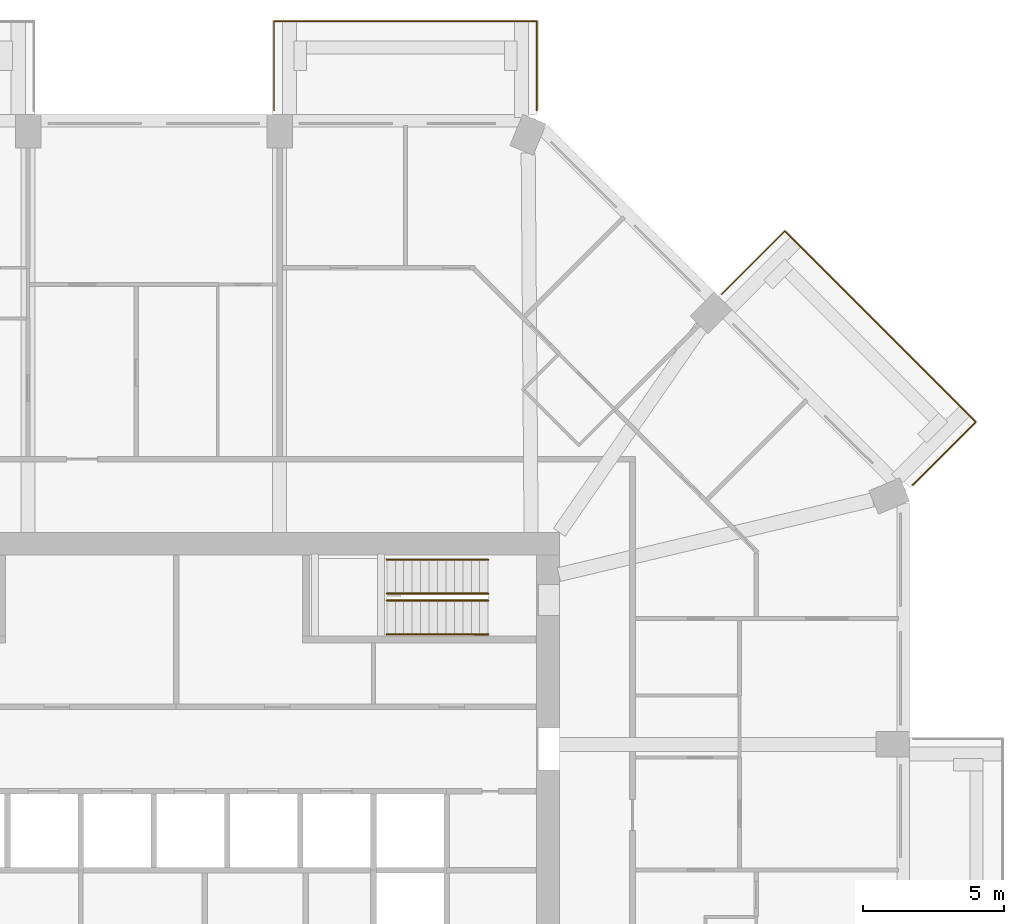
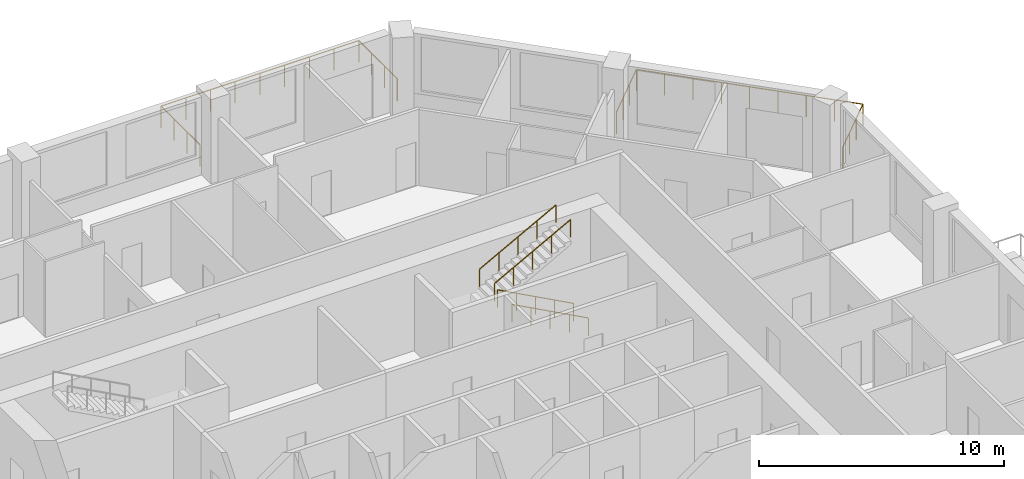
# One storey, part 13 of 13: 6 railings.
"""IFC4 building model written with IfcOpenShell, lengths in metres."""

from ifc_helpers import new_model, si_unit, direction, frame, origin, origin_2d, place, context, subcontext, project, spatial, circle, extrude, material, constituent, constituent_set, type_object, element, save


model = new_model("IFC4")

# Units and contexts
model_context = context("Model", 3, precision=1e-05, world=origin(), true_north=direction((0.0, 1.0)))
body_context = subcontext(model_context, "Body", "Model", "MODEL_VIEW")
ifc_project = project(units=[si_unit("LENGTHUNIT", "METRE"), si_unit("AREAUNIT", "SQUARE_METRE"), si_unit("VOLUMEUNIT", "CUBIC_METRE"), si_unit("PLANEANGLEUNIT", "RADIAN"), si_unit("MASSUNIT", "GRAM", prefix="KILO")], contexts=[model_context])

# Site, building, storey
site_placement = place(None, origin())
site = spatial("IfcSite", under=ifc_project, at=site_placement, CompositionType="ELEMENT")
building_placement = place(site_placement, origin())
building = spatial("IfcBuilding", under=site, at=building_placement, Name="Msitu Wima Residences", CompositionType="ELEMENT")
storey_placement = place(building_placement, frame((0.0, 0.0, 148.5)))
storey = spatial("IfcBuildingStorey", under=building, at=storey_placement, Name="L34", CompositionType="ELEMENT", Elevation=148.5)

# Railings
ifc_material_1 = material(Name="Steel S355", Category="steel")
ifc_constituent_1 = constituent(ifc_material_1, Name="Steel S355")
ifc_material_2 = material(Name="Weathering patina")
ifc_constituent_2 = constituent(ifc_material_2, Name="Weathering patina")
ifc_constituent_set_1 = constituent_set(constituents=[ifc_constituent_1, ifc_constituent_2], Name="Steel S355")
railing_type_1 = type_object("IfcRailingType", Name="Balcony guard GR1100", PredefinedType="GUARDRAIL", material=ifc_constituent_set_1)
railing_1_placement = place(storey_placement, frame((20.171630859375, 20.45458984375, 0.0)))
element("IfcRailing", 1, at=railing_1_placement, inside=storey, type_object=railing_type_1, Name="Balcony guard NE0 L34", PredefinedType="GUARDRAIL", context=body_context, shape_type="SweptSolid", body=[
    extrude(circle(Radius=0.02392578125, at=origin_2d()), frame((0.0, 0.0, 1.076171875), z_axis=(0.707106781187, 0.707106781187, 0.0), x_axis=(-0.707106781187, 0.707106781187, 0.0)), (0.0, 0.0, 1.0), 3.169921875),
    extrude(circle(Radius=0.02392578125, at=origin_2d()), frame((2.241455078125, 2.241455078125, 1.076171875), z_axis=(0.707106781187, -0.707106781187, 0.0), x_axis=(0.707106781187, 0.707106781187, 0.0)), (0.0, 0.0, 1.0), 9.58837890625),
    extrude(circle(Radius=0.02392578125, at=origin_2d()), frame((9.021484375, -4.53857421875, 1.076171875), z_axis=(-0.707106781187, -0.707106781187, 0.0), x_axis=(0.707106781187, -0.707106781187, 0.0)), (0.0, 0.0, 1.0), 3.136474609375),
    extrude(circle(Radius=0.02392578125, at=origin_2d()), frame((6.8037109375, -6.75634765625, 1.076171875), z_axis=(-0.92426142649, -0.38176015442, 0.0), x_axis=(0.38176015442, -0.92426142649, 0.0)), (0.0, 0.0, 1.0), 0.036376953125),
    extrude(circle(Radius=0.02099609375, at=origin_2d()), origin(), (0.0, 0.0, 1.0), 1.052001953125),
    extrude(circle(Radius=0.02099609375, at=origin_2d()), frame((0.7470703125, 0.7470703125, 0.0)), (0.0, 0.0, 1.0), 1.052001953125),
    extrude(circle(Radius=0.02099609375, at=origin_2d()), frame((1.494384765625, 1.494384765625, 0.0)), (0.0, 0.0, 1.0), 1.052001953125),
    extrude(circle(Radius=0.02099609375, at=origin_2d()), frame((2.241455078125, 2.241455078125, 0.0)), (0.0, 0.0, 1.0), 1.052001953125),
    extrude(circle(Radius=0.02099609375, at=origin_2d()), frame((3.0888671875, 1.39404296875, 0.0)), (0.0, 0.0, 1.0), 1.052001953125),
    extrude(circle(Radius=0.02099609375, at=origin_2d()), frame((3.9365234375, 0.54638671875, 0.0)), (0.0, 0.0, 1.0), 1.052001953125),
    extrude(circle(Radius=0.02099609375, at=origin_2d()), frame((4.783935546875, -0.301025390625, 0.0)), (0.0, 0.0, 1.0), 1.052001953125),
    extrude(circle(Radius=0.02099609375, at=origin_2d()), frame((5.63134765625, -1.1484375, 0.0)), (0.0, 0.0, 1.0), 1.052001953125),
    extrude(circle(Radius=0.02099609375, at=origin_2d()), frame((6.47900390625, -1.99609375, 0.0)), (0.0, 0.0, 1.0), 1.052001953125),
    extrude(circle(Radius=0.02099609375, at=origin_2d()), frame((7.326416015625, -2.843505859375, 0.0)), (0.0, 0.0, 1.0), 1.052001953125),
    extrude(circle(Radius=0.02099609375, at=origin_2d()), frame((8.174072265625, -3.691162109375, 0.0)), (0.0, 0.0, 1.0), 1.052001953125),
    extrude(circle(Radius=0.02099609375, at=origin_2d()), frame((9.021484375, -4.53857421875, 0.0)), (0.0, 0.0, 1.0), 1.052001953125),
    extrude(circle(Radius=0.02099609375, at=origin_2d()), frame((8.2822265625, -5.27783203125, 0.0)), (0.0, 0.0, 1.0), 1.052001953125),
    extrude(circle(Radius=0.02099609375, at=origin_2d()), frame((7.54296875, -6.01708984375, 0.0)), (0.0, 0.0, 1.0), 1.052001953125),
    extrude(circle(Radius=0.02099609375, at=origin_2d()), frame((6.8037109375, -6.75634765625, 0.0)), (0.0, 0.0, 1.0), 1.052001953125),
    extrude(circle(Radius=0.02099609375, at=origin_2d()), frame((6.77001953125, -6.770263671875, 0.0)), (0.0, 0.0, 1.0), 1.052001953125),
])
railing_2_placement = place(storey_placement, frame((4.2685546875, 26.97998046875, 0.0)))
element("IfcRailing", 2, at=railing_2_placement, inside=storey, type_object=railing_type_1, Name="Balcony guard N0 L34", PredefinedType="GUARDRAIL", context=body_context, shape_type="SweptSolid", body=[
    extrude(circle(Radius=0.02392578125, at=origin_2d()), frame((0.0, 0.0, 1.076171875), z_axis=(0.0, 1.0, 0.0), x_axis=(-1.0, 0.0, 0.0)), (0.0, 0.0, 1.0), 3.169921875),
    extrude(circle(Radius=0.02392578125, at=origin_2d()), frame((0.0, 3.169921875, 1.076171875), z_axis=(1.0, 0.0, 0.0), x_axis=(0.0, 1.0, 0.0)), (0.0, 0.0, 1.0), 9.33740234375),
    extrude(circle(Radius=0.02392578125, at=origin_2d()), frame((9.33740234375, 3.169921875, 1.076171875), z_axis=(0.0, -1.0, 0.0), x_axis=(1.0, 0.0, 0.0)), (0.0, 0.0, 1.0), 3.136474609375),
    extrude(circle(Radius=0.02392578125, at=origin_2d()), frame((9.33740234375, 0.033447265625, 1.076171875), z_axis=(-0.384136806859, -0.923276184907, 0.0), x_axis=(0.923276184907, -0.384136806859, 0.0)), (0.0, 0.0, 1.0), 0.0361328125),
    extrude(circle(Radius=0.02099609375, at=origin_2d()), origin(), (0.0, 0.0, 1.0), 1.052001953125),
    extrude(circle(Radius=0.02099609375, at=origin_2d()), frame((0.0, 1.056640625, 0.0)), (0.0, 0.0, 1.0), 1.052001953125),
    extrude(circle(Radius=0.02099609375, at=origin_2d()), frame((0.0, 2.11328125, 0.0)), (0.0, 0.0, 1.0), 1.052001953125),
    extrude(circle(Radius=0.02099609375, at=origin_2d()), frame((0.0, 3.169921875, 0.0)), (0.0, 0.0, 1.0), 1.052001953125),
    extrude(circle(Radius=0.02099609375, at=origin_2d()), frame((1.167236328125, 3.169921875, 0.0)), (0.0, 0.0, 1.0), 1.052001953125),
    extrude(circle(Radius=0.02099609375, at=origin_2d()), frame((2.33447265625, 3.169921875, 0.0)), (0.0, 0.0, 1.0), 1.052001953125),
    extrude(circle(Radius=0.02099609375, at=origin_2d()), frame((3.50146484375, 3.169921875, 0.0)), (0.0, 0.0, 1.0), 1.052001953125),
    extrude(circle(Radius=0.02099609375, at=origin_2d()), frame((4.668701171875, 3.169921875, 0.0)), (0.0, 0.0, 1.0), 1.052001953125),
    extrude(circle(Radius=0.02099609375, at=origin_2d()), frame((5.8359375, 3.169921875, 0.0)), (0.0, 0.0, 1.0), 1.052001953125),
    extrude(circle(Radius=0.02099609375, at=origin_2d()), frame((7.0029296875, 3.169921875, 0.0)), (0.0, 0.0, 1.0), 1.052001953125),
    extrude(circle(Radius=0.02099609375, at=origin_2d()), frame((8.170166015625, 3.169921875, 0.0)), (0.0, 0.0, 1.0), 1.052001953125),
    extrude(circle(Radius=0.02099609375, at=origin_2d()), frame((9.33740234375, 3.169921875, 0.0)), (0.0, 0.0, 1.0), 1.052001953125),
    extrude(circle(Radius=0.02099609375, at=origin_2d()), frame((9.33740234375, 2.12451171875, 0.0)), (0.0, 0.0, 1.0), 1.052001953125),
    extrude(circle(Radius=0.02099609375, at=origin_2d()), frame((9.33740234375, 1.078857421875, 0.0)), (0.0, 0.0, 1.0), 1.052001953125),
    extrude(circle(Radius=0.02099609375, at=origin_2d()), frame((9.33740234375, 0.033447265625, 0.0)), (0.0, 0.0, 1.0), 1.052001953125),
    extrude(circle(Radius=0.02099609375, at=origin_2d()), frame((9.323486328125, 0.0, 0.0)), (0.0, 0.0, 1.0), 1.052001953125),
])
ifc_constituent_3 = constituent(ifc_material_1, Name="Steel S355")
ifc_material_3 = material(Name="Black powder coating")
ifc_constituent_4 = constituent(ifc_material_3, Name="Black powder coating")
ifc_constituent_set_2 = constituent_set(constituents=[ifc_constituent_3, ifc_constituent_4], Name="Steel S355")
railing_type_2 = type_object("IfcRailingType", Name="Stair handrail HR1", PredefinedType="HANDRAIL", material=ifc_constituent_set_2)
for number, where, name in (
    (3, (11.875, 8.375, 0.16162109375), "Stair 3 handrail"),
    (4, (11.875, 9.574951171875, 0.16162109375), "Stair 3 handrail"),
):
    element("IfcRailing", number, at=place(storey_placement, frame(where)), inside=storey, type_object=railing_type_2, Name=name, PredefinedType="HANDRAIL", context=body_context, shape_type="SweptSolid", body=[
        extrude(circle(Radius=0.02392578125, at=origin_2d()), frame((0.0, 0.0, 0.8759765625), z_axis=(-0.880474934443, 0.0, 0.474092701714), x_axis=(0.0, -1.0, 0.0)), (0.0, 0.0, 1.0), 4.0888671875),
        extrude(circle(Radius=0.02099609375, at=origin_2d()), origin(), (0.0, 0.0, 1.0), 0.851806640625),
        extrude(circle(Radius=0.02099609375, at=origin_2d()), frame((-0.89990234375, 0.0, 0.484619140625)), (0.0, 0.0, 1.0), 0.851806640625),
        extrude(circle(Radius=0.02099609375, at=origin_2d()), frame((-1.800048828125, 0.0, 0.96923828125)), (0.0, 0.0, 1.0), 0.851806640625),
        extrude(circle(Radius=0.02099609375, at=origin_2d()), frame((-2.7001953125, 0.0, 1.453857421875)), (0.0, 0.0, 1.0), 0.851806640625),
        extrude(circle(Radius=0.02099609375, at=origin_2d()), frame((-3.60009765625, 0.0, 1.9384765625)), (0.0, 0.0, 1.0), 0.851806640625),
    ])
for number, where, name in (
    (5, (8.27490234375, 9.824951171875, 2.261474609375), "Stair 3 handrail"),
    (6, (8.27490234375, 11.02490234375, 2.261474609375), "Stair 3 handrail"),
):
    element("IfcRailing", number, at=place(storey_placement, frame(where)), inside=storey, type_object=railing_type_2, Name=name, PredefinedType="HANDRAIL", context=body_context, shape_type="SweptSolid", body=[
        extrude(circle(Radius=0.02392578125, at=origin_2d()), frame((0.0, 0.0, 0.8759765625), z_axis=(0.880474934443, 0.0, 0.474092701714), x_axis=(0.0, 1.0, 0.0)), (0.0, 0.0, 1.0), 4.0888671875),
        extrude(circle(Radius=0.02099609375, at=origin_2d()), origin(), (0.0, 0.0, 1.0), 0.851806640625),
        extrude(circle(Radius=0.02099609375, at=origin_2d()), frame((0.89990234375, 0.0, 0.484619140625)), (0.0, 0.0, 1.0), 0.851806640625),
        extrude(circle(Radius=0.02099609375, at=origin_2d()), frame((1.800048828125, 0.0, 0.96923828125)), (0.0, 0.0, 1.0), 0.851806640625),
        extrude(circle(Radius=0.02099609375, at=origin_2d()), frame((2.7001953125, 0.0, 1.453857421875)), (0.0, 0.0, 1.0), 0.851806640625),
        extrude(circle(Radius=0.02099609375, at=origin_2d()), frame((3.60009765625, 0.0, 1.9384765625)), (0.0, 0.0, 1.0), 0.851806640625),
    ])

save(model, "model.ifc")
